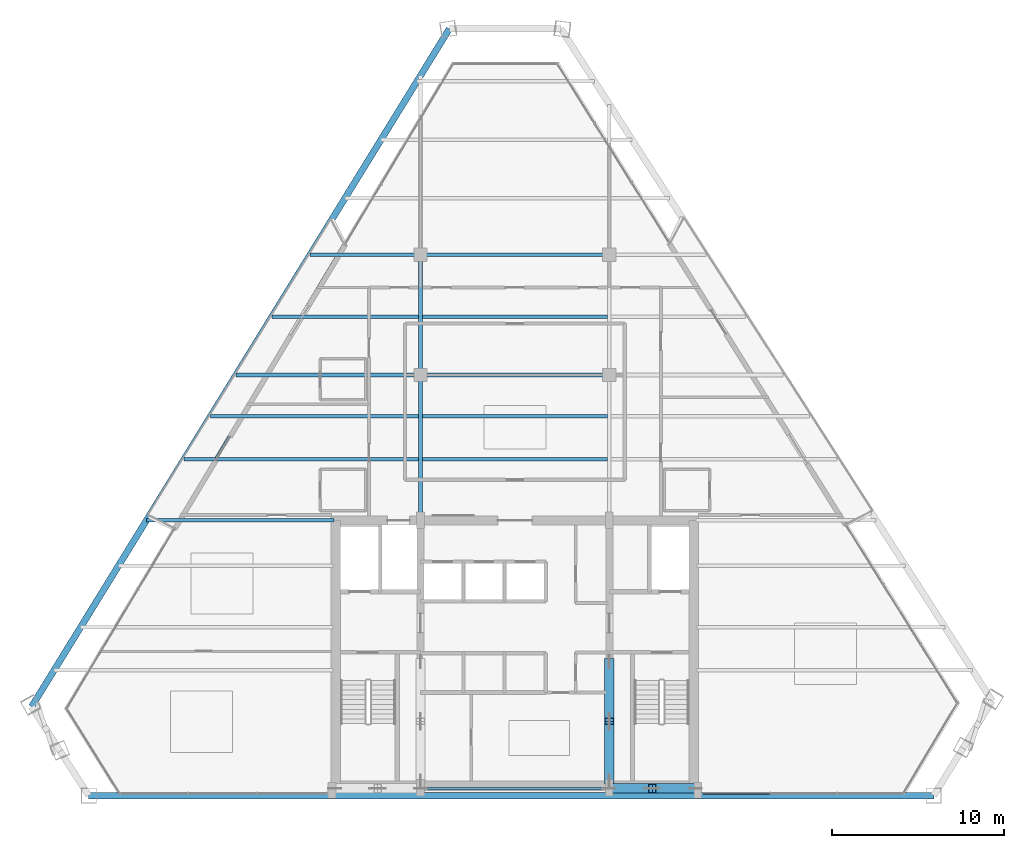
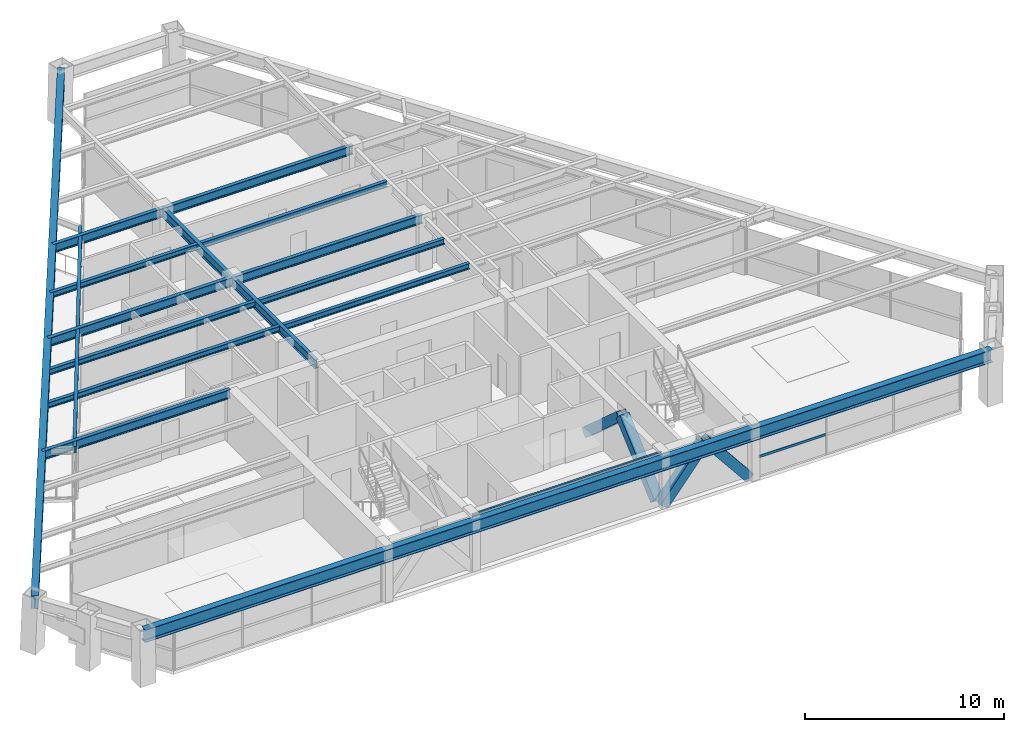
# One storey, part 3 of 12: 17 beams, 5 members, 1 element without a shape of its own.
"""IFC4 building model written with IfcOpenShell, lengths in metres."""

from ifc_helpers import new_model, si_unit, direction, frame, origin, origin_2d, place, context, subcontext, project, spatial, rectangle, hollow_rectangle, i_section, extrude, source, transform, mapped, material, material_profile, profile_set, type_object, type_shapes, element, aggregate, save


model = new_model("IFC4")

# Units and contexts
model_context = context("Model", 3, precision=1e-05, world=origin(), true_north=direction((0.0, 1.0)))
body_context = subcontext(model_context, "Body", "Model", "MODEL_VIEW")
ifc_project = project(units=[si_unit("LENGTHUNIT", "METRE"), si_unit("AREAUNIT", "SQUARE_METRE"), si_unit("VOLUMEUNIT", "CUBIC_METRE"), si_unit("PLANEANGLEUNIT", "RADIAN"), si_unit("MASSUNIT", "GRAM", prefix="KILO")], contexts=[model_context])

# Site, building, storey
site_placement = place(None, origin())
site = spatial("IfcSite", under=ifc_project, at=site_placement, CompositionType="ELEMENT")
building_placement = place(site_placement, origin())
building = spatial("IfcBuilding", under=site, at=building_placement, Name="Varnakhor Terracotta Tower", CompositionType="ELEMENT")
storey_placement = place(building_placement, frame((0.0, 0.0, 220.0)))
storey = spatial("IfcBuildingStorey", under=building, at=storey_placement, Name="L56", CompositionType="ELEMENT", Elevation=220.0)

# Beams
ifc_material_1 = material(Name="Steel S355", Category="steel")
ifc_material_profile_1 = material_profile(ifc_material_1, i_section(OverallWidth=0.1201171875, OverallDepth=0.239990234375, WebThickness=0.006103515625, FlangeThickness=0.009765625, FilletRadius=0.01806640625, at=origin_2d()), Name="IPE240")
ifc_profile_set_1 = profile_set([ifc_material_profile_1], Name="Steel S355")
beam_type_1 = type_object("IfcBeamType", Name="LNT-IPE240", PredefinedType="LINTEL", material=ifc_profile_set_1)
shared_shape_1 = source(origin(), body_context, "Body", "SweptSolid", [
    extrude(i_section(OverallWidth=0.1201171875, OverallDepth=0.239990234375, WebThickness=0.006103515625, FlangeThickness=0.009765625, FilletRadius=0.01806640625, at=origin_2d()), origin(), (0.0, 0.0, 1.0), 11.0),
])
type_shapes(beam_type_1, [shared_shape_1])
beam_1_placement = place(storey_placement, frame((-5.5, 0.419921875, 3.1201171875), z_axis=(1.0, 0.0, 0.0), x_axis=(0.0, 1.0, 0.0)))
element("IfcBeam", 1, at=beam_1_placement, inside=storey, type_object=beam_type_1, Name="L56 Core South Coupling Lintel", PredefinedType="LINTEL", context=body_context, shape_type="MappedRepresentation", body=[
    mapped(shared_shape_1, transform((0.0, 0.0, 0.0), scale=1.0)),
])
ifc_material_profile_2 = material_profile(ifc_material_1, i_section(OverallWidth=0.214111328125, OverallDepth=0.549072265625, WebThickness=0.014892578125, FlangeThickness=0.02392578125, FilletRadius=0.01806640625, at=origin_2d()), Name="W21X93")
ifc_profile_set_2 = profile_set([ifc_material_profile_2], Name="Steel S355")
beam_type_2 = type_object("IfcBeamType", Name="BM-W21X93", PredefinedType="BEAM", material=ifc_profile_set_2)
shared_shape_2 = source(origin(), body_context, "Body", "SweptSolid", [
    extrude(i_section(OverallWidth=0.214111328125, OverallDepth=0.549072265625, WebThickness=0.014892578125, FlangeThickness=0.02392578125, FilletRadius=0.01806640625, at=origin_2d()), origin(), (0.0, 0.0, 1.0), 8.449951171875),
])
type_shapes(beam_type_2, [shared_shape_2])
beam_2_placement = place(storey_placement, frame((-5.5, 16.050048828125, 2.965576171875), z_axis=(0.0, 1.0, 0.0), x_axis=(-1.0, 0.0, 0.0)))
element("IfcBeam", 2, at=beam_2_placement, inside=storey, type_object=beam_type_2, Name="L56 Primary Girder NS1-W", PredefinedType="BEAM", context=body_context, shape_type="MappedRepresentation", body=[
    mapped(shared_shape_2, transform((0.0, 0.0, 0.0), scale=1.0)),
])
shared_shape_3 = source(origin(), body_context, "Body", "SweptSolid", [
    extrude(i_section(OverallWidth=0.214111328125, OverallDepth=0.549072265625, WebThickness=0.014892578125, FlangeThickness=0.02392578125, FilletRadius=0.01806640625, at=origin_2d()), origin(), (0.0, 0.0, 1.0), 7.0),
])
beam_3_placement = place(storey_placement, frame((-5.5, 24.5, 2.965576171875), z_axis=(0.0, 1.0, 0.0), x_axis=(-1.0, 0.0, 0.0)))
element("IfcBeam", 3, at=beam_3_placement, inside=storey, type_object=beam_type_2, Name="L56 Primary Girder NS2-W", PredefinedType="BEAM", context=body_context, shape_type="MappedRepresentation", body=[
    mapped(shared_shape_3, transform((0.0, 0.0, 0.0), scale=1.0)),
])
shared_shape_4 = source(origin(), body_context, "Body", "SweptSolid", [
    extrude(i_section(OverallWidth=0.214111328125, OverallDepth=0.549072265625, WebThickness=0.014892578125, FlangeThickness=0.02392578125, FilletRadius=0.01806640625, at=origin_2d()), origin(), (0.0, 0.0, 1.0), 11.0),
])
for number, where, z_axis, x_axis, name in (
    (4, (-5.5, 24.5, 2.965576171875), (1.0, 0.0, 0.0), (0.0, 1.0, 0.0), "L56 Primary Girder EW2-2"),
    (5, (-5.5, 31.5, 2.965576171875), (1.0, 0.0, 0.0), (0.0, 1.0, 0.0), "L56 Primary Girder EW3-2"),
):
    element("IfcBeam", number, at=place(storey_placement, frame(where, z_axis=z_axis, x_axis=x_axis)), inside=storey, type_object=beam_type_2, Name=name, PredefinedType="BEAM", context=body_context, shape_type="MappedRepresentation", body=[
        mapped(shared_shape_4, transform((0.0, 0.0, 0.0), scale=1.0)),
    ])
ifc_material_profile_3 = material_profile(ifc_material_1, i_section(OverallWidth=0.202880859375, OverallDepth=0.346923828125, WebThickness=0.0078125, FlangeThickness=0.013427734375, FilletRadius=0.01806640625, at=origin_2d()), Name="W14X43")
ifc_profile_set_3 = profile_set([ifc_material_profile_3], Name="Steel S355")
beam_type_3 = type_object("IfcBeamType", Name="JST-W14X43", PredefinedType="JOIST", material=ifc_profile_set_3)
shared_shape_5 = source(origin(), body_context, "Body", "SweptSolid", [
    extrude(i_section(OverallWidth=0.202880859375, OverallDepth=0.346923828125, WebThickness=0.0078125, FlangeThickness=0.013427734375, FilletRadius=0.01806640625, at=origin_2d()), origin(), (0.0, 0.0, 1.0), 10.7939453125),
])
for number, where, z_axis, x_axis, name in (
    (6, (-5.39697265625, 19.60009765625, 3.06640625), (1.0, 0.0, 0.0), (0.0, 1.0, 0.0), "L56 Composite Floor Joist 4-2"),
    (7, (-5.39697265625, 22.10009765625, 3.06640625), (1.0, 0.0, 0.0), (0.0, 1.0, 0.0), "L56 Composite Floor Joist 5-2"),
    (8, (-5.39697265625, 27.89990234375, 3.06640625), (1.0, 0.0, 0.0), (0.0, 1.0, 0.0), "L56 Composite Floor Joist 6-2"),
):
    element("IfcBeam", number, at=place(storey_placement, frame(where, z_axis=z_axis, x_axis=x_axis)), inside=storey, type_object=beam_type_3, Name=name, PredefinedType="JOIST", context=body_context, shape_type="MappedRepresentation", body=[
        mapped(shared_shape_5, transform((0.0, 0.0, 0.0), scale=1.0)),
    ])
ifc_material_profile_4 = material_profile(ifc_material_1, i_section(OverallWidth=0.381103515625, OverallDepth=0.77294921875, WebThickness=0.01708984375, FlangeThickness=0.027099609375, FilletRadius=0.01806640625, at=origin_2d()), Name="W30X173")
ifc_profile_set_4 = profile_set([ifc_material_profile_4], Name="Steel S355")
beam_type_4 = type_object("IfcBeamType", Name="BM-W30X173", PredefinedType="BEAM", material=ifc_profile_set_4)
shared_shape_6 = source(origin(), body_context, "Body", "SweptSolid", [
    extrude(i_section(OverallWidth=0.381103515625, OverallDepth=0.77294921875, WebThickness=0.01708984375, FlangeThickness=0.027099609375, FilletRadius=0.01806640625, at=origin_2d()), origin(), (0.0, 0.0, 1.0), 49.227783203125),
])
beam_4_placement = place(storey_placement, frame((-24.828369140625, 0.0, 2.853515625), z_axis=(1.0, 0.0, 0.0), x_axis=(0.0, 1.0, 0.0)))
element("IfcBeam", 9, at=beam_4_placement, inside=storey, type_object=beam_type_4, Name="L56 Perimeter Spandrel 1", PredefinedType="BEAM", context=body_context, shape_type="MappedRepresentation", body=[
    mapped(shared_shape_6, transform((0.0, 0.0, 0.0), scale=1.0)),
])
shared_shape_7 = source(origin(), body_context, "Body", "SweptSolid", [
    extrude(i_section(OverallWidth=0.381103515625, OverallDepth=0.77294921875, WebThickness=0.01708984375, FlangeThickness=0.027099609375, FilletRadius=0.01806640625, at=origin_2d()), origin(), (0.0, 0.0, 1.0), 46.38232421875),
])
beam_5_placement = place(storey_placement, frame((-3.820068359375, 44.667236328125, 2.853515625), z_axis=(-0.524601582344, -0.851347860632, 0.0), x_axis=(0.851347860632, -0.524601582344, 0.0)))
element("IfcBeam", 10, at=beam_5_placement, inside=storey, type_object=beam_type_4, Name="L56 Perimeter Spandrel 6", PredefinedType="BEAM", context=body_context, shape_type="MappedRepresentation", body=[
    mapped(shared_shape_7, transform((0.0, 0.0, 0.0), scale=1.0)),
])
ifc_material_profile_5 = material_profile(ifc_material_1, i_section(OverallWidth=0.179931640625, OverallDepth=0.39990234375, WebThickness=0.008544921875, FlangeThickness=0.013427734375, FilletRadius=0.01806640625, at=origin_2d()), Name="IPE400")
ifc_profile_set_5 = profile_set([ifc_material_profile_5], Name="Steel S355")
beam_type_5 = type_object("IfcBeamType", Name="JST-IPE400", PredefinedType="JOIST", material=ifc_profile_set_5)
shared_shape_8 = source(origin(), body_context, "Body", "SweptSolid", [
    extrude(i_section(OverallWidth=0.179931640625, OverallDepth=0.39990234375, WebThickness=0.008544921875, FlangeThickness=0.013427734375, FilletRadius=0.01806640625, at=origin_2d()), origin(), (0.0, 0.0, 1.0), 19.36962890625),
])
beam_6_placement = place(storey_placement, frame((-9.9169921875, 32.16064453125, 3.0400390625), z_axis=(-0.513136432844, -0.858307055364, 0.0), x_axis=(0.858307055364, -0.513136432844, 0.0)))
element("IfcBeam", 11, at=beam_6_placement, inside=storey, type_object=beam_type_5, Name="L56 Loggia Edge Beam 2", PredefinedType="JOIST", context=body_context, shape_type="MappedRepresentation", body=[
    mapped(shared_shape_8, transform((0.0, 0.0, 0.0), scale=1.0)),
])
shared_shape_9 = source(origin(), body_context, "Body", "SweptSolid", [
    extrude(i_section(OverallWidth=0.214111328125, OverallDepth=0.549072265625, WebThickness=0.014892578125, FlangeThickness=0.02392578125, FilletRadius=0.01806640625, at=origin_2d()), origin(), (0.0, 0.0, 1.0), 10.904052734375),
])
beam_7_placement = place(storey_placement, frame((-21.4541015625, 16.050048828125, 2.965576171875), z_axis=(1.0, 0.0, 0.0), x_axis=(0.0, 1.0, 0.0)))
element("IfcBeam", 12, at=beam_7_placement, inside=storey, type_object=beam_type_2, Name="L56 Wing Girder W", PredefinedType="BEAM", context=body_context, shape_type="MappedRepresentation", body=[
    mapped(shared_shape_9, transform((0.0, 0.0, 0.0), scale=1.0)),
])
shared_shape_10 = source(origin(), body_context, "Body", "SweptSolid", [
    extrude(i_section(OverallWidth=0.214111328125, OverallDepth=0.549072265625, WebThickness=0.014892578125, FlangeThickness=0.02392578125, FilletRadius=0.01806640625, at=origin_2d()), origin(), (0.0, 0.0, 1.0), 10.7470703125),
])
beam_8_placement = place(storey_placement, frame((-16.2470703125, 24.5, 2.965576171875), z_axis=(1.0, 0.0, 0.0), x_axis=(0.0, 1.0, 0.0)))
element("IfcBeam", 13, at=beam_8_placement, inside=storey, type_object=beam_type_2, Name="L56 Primary Girder EW2-1", PredefinedType="BEAM", context=body_context, shape_type="MappedRepresentation", body=[
    mapped(shared_shape_10, transform((0.0, 0.0, 0.0), scale=1.0)),
])
shared_shape_11 = source(origin(), body_context, "Body", "SweptSolid", [
    extrude(i_section(OverallWidth=0.214111328125, OverallDepth=0.549072265625, WebThickness=0.014892578125, FlangeThickness=0.02392578125, FilletRadius=0.01806640625, at=origin_2d()), origin(), (0.0, 0.0, 1.0), 6.43359375),
])
beam_9_placement = place(storey_placement, frame((-11.93359375, 31.5, 2.965576171875), z_axis=(1.0, 0.0, 0.0), x_axis=(0.0, 1.0, 0.0)))
element("IfcBeam", 14, at=beam_9_placement, inside=storey, type_object=beam_type_2, Name="L56 Primary Girder EW3-1", PredefinedType="BEAM", context=body_context, shape_type="MappedRepresentation", body=[
    mapped(shared_shape_11, transform((0.0, 0.0, 0.0), scale=1.0)),
])
shared_shape_12 = source(origin(), body_context, "Body", "SweptSolid", [
    extrude(i_section(OverallWidth=0.202880859375, OverallDepth=0.346923828125, WebThickness=0.0078125, FlangeThickness=0.013427734375, FilletRadius=0.01806640625, at=origin_2d()), origin(), (0.0, 0.0, 1.0), 13.66357421875),
])
beam_10_placement = place(storey_placement, frame((-19.2666015625, 19.60009765625, 3.06640625), z_axis=(1.0, 0.0, 0.0), x_axis=(0.0, 1.0, 0.0)))
element("IfcBeam", 15, at=beam_10_placement, inside=storey, type_object=beam_type_3, Name="L56 Composite Floor Joist 4-1", PredefinedType="JOIST", context=body_context, shape_type="MappedRepresentation", body=[
    mapped(shared_shape_12, transform((0.0, 0.0, 0.0), scale=1.0)),
])
shared_shape_13 = source(origin(), body_context, "Body", "SweptSolid", [
    extrude(i_section(OverallWidth=0.202880859375, OverallDepth=0.346923828125, WebThickness=0.0078125, FlangeThickness=0.013427734375, FilletRadius=0.01806640625, at=origin_2d()), origin(), (0.0, 0.0, 1.0), 12.123046875),
])
beam_11_placement = place(storey_placement, frame((-17.72607421875, 22.10009765625, 3.06640625), z_axis=(1.0, 0.0, 0.0), x_axis=(0.0, 1.0, 0.0)))
element("IfcBeam", 16, at=beam_11_placement, inside=storey, type_object=beam_type_3, Name="L56 Composite Floor Joist 5-1", PredefinedType="JOIST", context=body_context, shape_type="MappedRepresentation", body=[
    mapped(shared_shape_13, transform((0.0, 0.0, 0.0), scale=1.0)),
])
shared_shape_14 = source(origin(), body_context, "Body", "SweptSolid", [
    extrude(i_section(OverallWidth=0.202880859375, OverallDepth=0.346923828125, WebThickness=0.0078125, FlangeThickness=0.013427734375, FilletRadius=0.01806640625, at=origin_2d()), origin(), (0.0, 0.0, 1.0), 8.549072265625),
])
beam_12_placement = place(storey_placement, frame((-14.152099609375, 27.89990234375, 3.06640625), z_axis=(1.0, 0.0, 0.0), x_axis=(0.0, 1.0, 0.0)))
element("IfcBeam", 17, at=beam_12_placement, inside=storey, type_object=beam_type_3, Name="L56 Composite Floor Joist 6-1", PredefinedType="JOIST", context=body_context, shape_type="MappedRepresentation", body=[
    mapped(shared_shape_14, transform((0.0, 0.0, 0.0), scale=1.0)),
])

# Members
ifc_material_profile_6 = material_profile(ifc_material_1, hollow_rectangle(XDim=0.550048828125, YDim=0.550048828125, WallThickness=0.034912109375, at=origin_2d()), Name="HSS550X550X35")
ifc_profile_set_6 = profile_set([ifc_material_profile_6], Name="Steel S355")
member_type_1 = type_object("IfcMemberType", Name="MBR-MEGA-550", PredefinedType="BRACE", material=ifc_profile_set_6)
shared_shape_15 = source(origin(), body_context, "Body", "SweptSolid", [
    extrude(hollow_rectangle(XDim=0.550048828125, YDim=0.550048828125, WallThickness=0.034912109375, at=origin_2d()), origin(), (0.0, 0.0, 1.0), 3.974853515625),
])
for number, where, z_axis, x_axis, name in (
    (18, (5.5, 0.419921875, 0.0), (0.628970263838, 0.0, 0.777429358339), (0.0, 1.0, 0.0), "L56 Core Coupled Brace CSEA"),
    (19, (10.5, 0.419921875, 0.0), (-0.628970263838, 0.0, 0.777429358339), (0.0, -1.0, 0.0), "L56 Core Coupled Brace CSEB"),
):
    element("IfcMember", number, at=place(storey_placement, frame(where, z_axis=z_axis, x_axis=x_axis)), inside=storey, type_object=member_type_1, Name=name, PredefinedType="BRACE", context=body_context, shape_type="MappedRepresentation", body=[
        mapped(shared_shape_15, transform((0.0, 0.0, 0.0), scale=1.0)),
    ])
shared_shape_16 = source(origin(), body_context, "Body", "SweptSolid", [
    extrude(hollow_rectangle(XDim=0.550048828125, YDim=0.550048828125, WallThickness=0.034912109375, at=origin_2d()), origin(), (0.0, 0.0, 1.0), 4.650146484375),
])
for number, where, z_axis, x_axis, name in (
    (20, (5.5, 0.85009765625, 0.0), (0.0, 0.74726736397, 0.664523503532), (-1.0, 0.0, 0.0), "L56 Core Coupled Brace CWEA"),
    (21, (5.5, 7.800048828125, 0.0), (0.0, -0.74729054724, 0.664497432655), (1.0, 0.0, 0.0), "L56 Core Coupled Brace CWEB"),
):
    element("IfcMember", number, at=place(storey_placement, frame(where, z_axis=z_axis, x_axis=x_axis)), inside=storey, type_object=member_type_1, Name=name, PredefinedType="BRACE", context=body_context, shape_type="MappedRepresentation", body=[
        mapped(shared_shape_16, transform((0.0, 0.0, 0.0), scale=1.0)),
    ])

# Curtain wall, member
ifc_material_2 = material(Name="Anodised Aluminium Curtain Wall System", Category="aluminium")
curtain_wall_type = type_object("IfcCurtainWallType", Name="CW-SYS-HOTEL-LOGGIA", PredefinedType="NOTDEFINED", material=ifc_material_2)
curtain_wall_placement = place(storey_placement, origin())
curtain_wall = element("IfcCurtainWall", 22, at=curtain_wall_placement, inside=storey, type_object=curtain_wall_type, Name="L56 South Wing Curtain Wall SSE", PredefinedType="NOTDEFINED")
ifc_material_3 = material(Name="Anodised Aluminium 6063-T6", Category="aluminium")
ifc_material_profile_7 = material_profile(ifc_material_3, rectangle(XDim=0.06494140625, YDim=0.14501953125, at=origin_2d()), Name="ALU TRANSOM 65x145")
ifc_profile_set_7 = profile_set([ifc_material_profile_7], Name="Anodised Aluminium 6063-T6")
member_type_2 = type_object("IfcMemberType", Name="CWT-04", PredefinedType="USERDEFINED", material=ifc_profile_set_7)
shared_shape_17 = source(origin(), body_context, "Body", "SweptSolid", [
    extrude(rectangle(XDim=0.06494140625, YDim=0.14501953125, at=origin_2d()), origin(), (0.0, 0.0, 1.0), 3.901611328125),
])
member_placement = place(storey_placement, frame((14.87158203125, 0.1201171875, 1.184326171875), z_axis=(-1.0, 0.0, 0.0), x_axis=(0.0, -1.0, 0.0)))
member = element("IfcMember", 23, at=member_placement, type_object=member_type_2, Name="L56 South Wing Curtain Wall SSE Transom 3", ObjectType="TRANSOM", PredefinedType="USERDEFINED", context=body_context, shape_type="MappedRepresentation", body=[
    mapped(shared_shape_17, transform((0.0, 0.0, 0.0), scale=1.0)),
])
aggregate(curtain_wall, [member])

save(model, "model.ifc")
